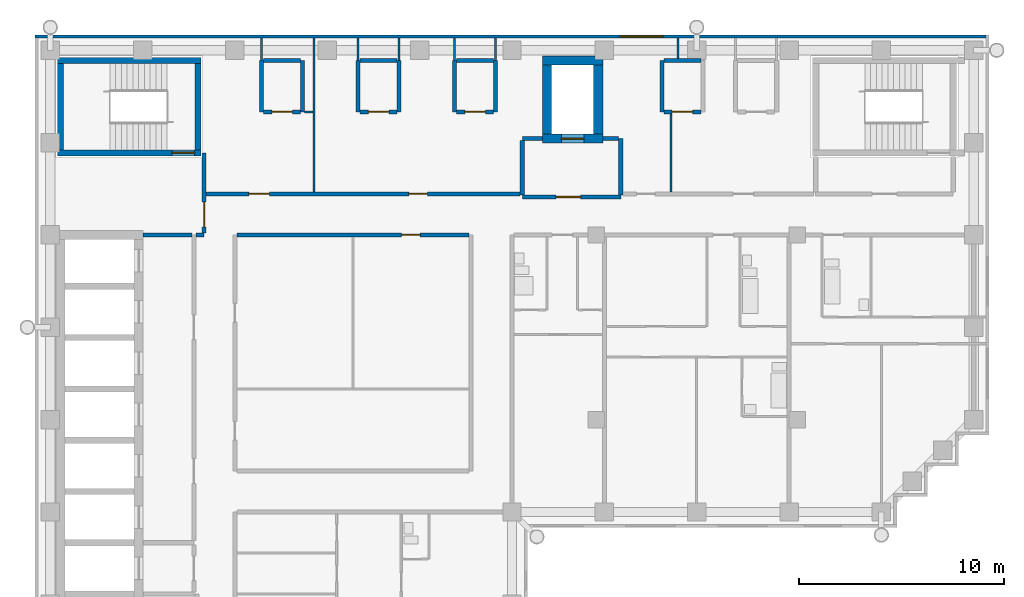
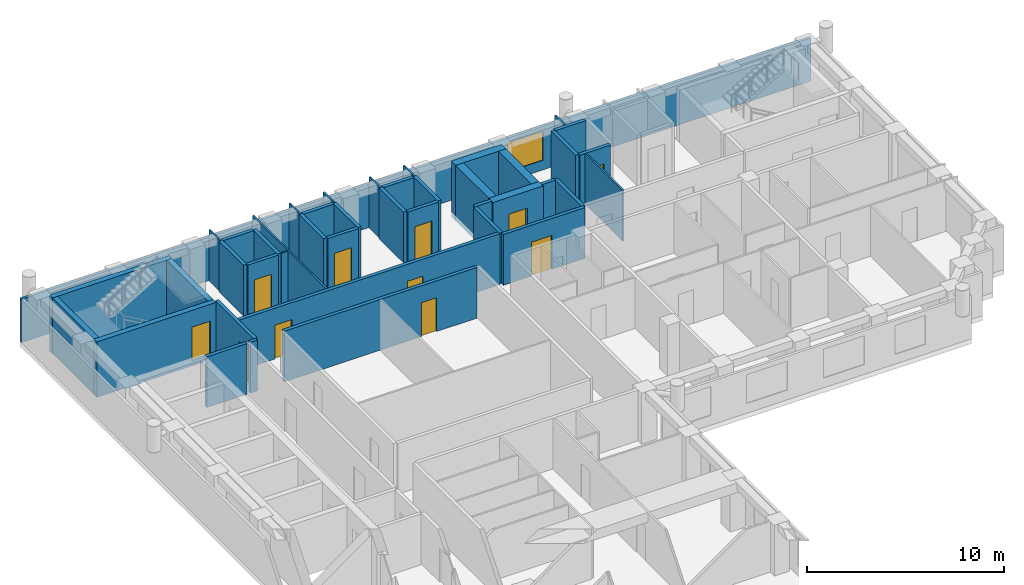
# One storey, part 5 of 9: 43 walls, 11 doors, 1 window, 12 openings.
"""IFC4 building model written with IfcOpenShell, lengths in metres."""

from ifc_helpers import new_model, si_unit, direction, frame, frame_2d, origin, place, context, subcontext, project, spatial, rectangle, extrude, material, layer, layer_set, type_object, element, fill, save


model = new_model("IFC4")

# Units and contexts
model_context = context("Model", 3, precision=1e-05, world=origin(), true_north=direction((0.0, 1.0)))
body_context = subcontext(model_context, "Body", "Model", "MODEL_VIEW")
ifc_project = project(units=[si_unit("LENGTHUNIT", "METRE"), si_unit("AREAUNIT", "SQUARE_METRE"), si_unit("VOLUMEUNIT", "CUBIC_METRE"), si_unit("PLANEANGLEUNIT", "RADIAN"), si_unit("MASSUNIT", "GRAM", prefix="KILO")], contexts=[model_context])

# Site, building, storey
site_placement = place(None, origin())
site = spatial("IfcSite", under=ifc_project, at=site_placement, CompositionType="ELEMENT")
building_placement = place(site_placement, origin())
building = spatial("IfcBuilding", under=site, at=building_placement, Name="Firuza Court", CompositionType="ELEMENT")
storey_placement = place(building_placement, frame((0.0, 0.0, 254.60009765625)))
storey = spatial("IfcBuildingStorey", under=building, at=storey_placement, Name="L66", CompositionType="ELEMENT", Elevation=254.60009765625)

# Wall, opening, door
ifc_material_1 = material(Name="Concrete C50/60", Category="concrete")
ifc_layer_1 = layer(ifc_material_1, 0.300048828125)
ifc_layer_set_1 = layer_set([ifc_layer_1], Name="Concrete C50/60")
wall_type_1 = type_object("IfcWallType", Name="Core wall 300 C50/60", PredefinedType="SHEAR", material=ifc_layer_set_1)
wall_1_placement = place(storey_placement, frame((0.35009765625, 53.5, -0.300048828125), z_axis=(0.0, 0.0, 1.0), x_axis=(1.0, 0.0, 0.0)))
wall_1 = element("IfcWall", 1, at=wall_1_placement, inside=storey, type_object=wall_type_1, Name="Core wall stair L66", PredefinedType="SHEAR", context=body_context, shape_type="SweptSolid", body=[
    extrude(rectangle(XDim=7.0, YDim=0.300048828125, at=frame_2d((3.5, 0.0))), origin(), (0.0, 0.0, 1.0), 3.449951171875),
])
opening_1_placement = place(wall_1_placement, frame((5.580078125, 0.0, 0.300048828125)))
opening_1 = element("IfcOpeningElement", 2, at=opening_1_placement, cuts=wall_1, Name="Opening D66011", PredefinedType="OPENING", context=body_context, shape_type="SweptSolid", body=[
    extrude(rectangle(XDim=1.10009765625, YDim=2.10009765625, at=frame_2d((0.550048828125, 1.050048828125))), frame((0.0, 0.162109375, 0.0), z_axis=(0.0, -1.0, 0.0), x_axis=(1.0, 0.0, 0.0)), (0.0, 0.0, 1.0), 0.323974609375),
])
ifc_material_2 = material(Name="Timber door leaf in hardwood frame", Category="wood")
door_type_1 = type_object("IfcDoorType", Name="Stair door 1100", OperationType="SINGLE_SWING_LEFT", PredefinedType="DOOR", material=ifc_material_2)
door_1_placement = place(opening_1_placement, origin())
door_1 = element("IfcDoor", 3, at=door_1_placement, inside=storey, type_object=door_type_1, Name="Stair door S3", OperationType="SINGLE_SWING_RIGHT", OverallHeight=2.10009765625, OverallWidth=1.10009765625, PredefinedType="DOOR", context=body_context, shape_type="SweptSolid", body=[
    extrude(rectangle(XDim=1.10009765625, YDim=2.10009765625, at=frame_2d((0.550048828125, 1.050048828125))), frame((0.0, 0.02490234375, 0.0), z_axis=(0.0, -1.0, 0.0), x_axis=(1.0, 0.0, 0.0)), (0.0, 0.0, 1.0), 0.050048828125),
])
fill(opening_1, door_1)

# Walls
wall_2_placement = place(storey_placement, frame((0.35009765625, 58.0, -0.300048828125), z_axis=(0.0, 0.0, 1.0), x_axis=(1.0, 0.0, 0.0)))
element("IfcWall", 4, at=wall_2_placement, inside=storey, type_object=wall_type_1, Name="Core wall stair L66", PredefinedType="SHEAR", context=body_context, shape_type="SweptSolid", body=[
    extrude(rectangle(XDim=7.0, YDim=0.300048828125, at=frame_2d((3.5, 0.0))), origin(), (0.0, 0.0, 1.0), 3.449951171875),
])
for number, where, z_axis, x_axis, name in (
    (5, (0.5, 53.64990234375, -0.300048828125), (0.0, 0.0, 1.0), (0.0, 1.0, 0.0), "Core wall stair L66"),
    (6, (7.199951171875, 53.64990234375, -0.300048828125), (0.0, 0.0, 1.0), (0.0, 1.0, 0.0), "Core wall stair L66"),
):
    element("IfcWall", number, at=place(storey_placement, frame(where, z_axis=z_axis, x_axis=x_axis)), inside=storey, type_object=wall_type_1, Name=name, PredefinedType="SHEAR", context=body_context, shape_type="SweptSolid", body=[
        extrude(rectangle(XDim=4.2001953125, YDim=0.300048828125, at=frame_2d((2.10009765625, 0.0))), origin(), (0.0, 0.0, 1.0), 3.449951171875),
    ])

# Wall, opening, door
ifc_layer_2 = layer(ifc_material_1, 0.449951171875)
ifc_layer_set_2 = layer_set([ifc_layer_2], Name="Concrete C50/60")
wall_type_2 = type_object("IfcWallType", Name="Core wall 450 C50/60", PredefinedType="SHEAR", material=ifc_layer_set_2)
wall_3_placement = place(storey_placement, frame((23.97509765625, 54.199951171875, -0.300048828125), z_axis=(0.0, 0.0, 1.0), x_axis=(1.0, 0.0, 0.0)))
wall_3 = element("IfcWall", 7, at=wall_3_placement, inside=storey, type_object=wall_type_2, Name="Core wall lift shaft L66", PredefinedType="SHEAR", context=body_context, shape_type="SweptSolid", body=[
    extrude(rectangle(XDim=2.949951171875, YDim=0.449951171875, at=frame_2d((1.47509765625, 0.0))), origin(), (0.0, 0.0, 1.0), 3.449951171875),
])
opening_2_placement = place(wall_3_placement, frame((0.925048828125, 0.0, 0.300048828125)))
opening_2 = element("IfcOpeningElement", 8, at=opening_2_placement, cuts=wall_3, Name="Opening LD-FL3-66", PredefinedType="OPENING", context=body_context, shape_type="SweptSolid", body=[
    extrude(rectangle(XDim=1.10009765625, YDim=2.10009765625, at=frame_2d((0.550048828125, 1.050048828125))), frame((0.0, 0.23681640625, 0.0), z_axis=(0.0, -1.0, 0.0), x_axis=(1.0, 0.0, 0.0)), (0.0, 0.0, 1.0), 0.473876953125),
])
ifc_material_3 = material(Name="Stainless steel 1.4301 door leaf", Category="steel")
door_type_2 = type_object("IfcDoorType", Name="Lift landing door 1100", OperationType="SLIDING_TO_LEFT", PredefinedType="DOOR", material=ifc_material_3)
door_2_placement = place(opening_2_placement, origin())
door_2 = element("IfcDoor", 9, at=door_2_placement, inside=storey, type_object=door_type_2, Name="Landing door FL3", OperationType="SLIDING_TO_LEFT", OverallHeight=2.10009765625, OverallWidth=1.10009765625, PredefinedType="DOOR", context=body_context, shape_type="SweptSolid", body=[
    extrude(rectangle(XDim=1.10009765625, YDim=2.10009765625, at=frame_2d((0.550048828125, 1.050048828125))), frame((0.0, 0.02490234375, 0.0), z_axis=(0.0, -1.0, 0.0), x_axis=(1.0, 0.0, 0.0)), (0.0, 0.0, 1.0), 0.050048828125),
])
fill(opening_2, door_2)

# Walls
wall_4_placement = place(storey_placement, frame((23.97509765625, 58.0, -0.300048828125), z_axis=(0.0, 0.0, 1.0), x_axis=(1.0, 0.0, 0.0)))
element("IfcWall", 10, at=wall_4_placement, inside=storey, type_object=wall_type_2, Name="Core wall lift shaft L66", PredefinedType="SHEAR", context=body_context, shape_type="SweptSolid", body=[
    extrude(rectangle(XDim=2.949951171875, YDim=0.449951171875, at=frame_2d((1.47509765625, 0.0))), origin(), (0.0, 0.0, 1.0), 3.449951171875),
])
for number, where, z_axis, x_axis, name in (
    (11, (24.199951171875, 54.425048828125, -0.300048828125), (0.0, 0.0, 1.0), (0.0, 1.0, 0.0), "Core wall lift shaft L66"),
    (12, (26.699951171875, 54.425048828125, -0.300048828125), (0.0, 0.0, 1.0), (0.0, 1.0, 0.0), "Core wall lift shaft L66"),
):
    element("IfcWall", number, at=place(storey_placement, frame(where, z_axis=z_axis, x_axis=x_axis)), inside=storey, type_object=wall_type_2, Name=name, PredefinedType="SHEAR", context=body_context, shape_type="SweptSolid", body=[
        extrude(rectangle(XDim=3.349853515625, YDim=0.449951171875, at=frame_2d((1.6748046875, 0.0))), origin(), (0.0, 0.0, 1.0), 3.449951171875),
    ])

# Wall, opening, door
ifc_material_4 = material(Name="Blockwork, plastered both sides", Category="masonry")
ifc_layer_3 = layer(ifc_material_4, 0.199951171875)
ifc_layer_set_3 = layer_set([ifc_layer_3], Name="Blockwork, plastered both sides")
wall_type_3 = type_object("IfcWallType", Name="Corridor wall 200", PredefinedType="PARTITIONING", material=ifc_layer_set_3)
wall_5_placement = place(storey_placement, frame((9.10009765625, 49.5, 0.0), z_axis=(0.0, 0.0, 1.0), x_axis=(1.0, 0.0, 0.0)))
wall_5 = element("IfcWall", 13, at=wall_5_placement, inside=storey, type_object=wall_type_3, Name="Corridor wall 200 L66", PredefinedType="PARTITIONING", context=body_context, shape_type="SweptSolid", body=[
    extrude(rectangle(XDim=11.2998046875, YDim=0.199951171875, at=frame_2d((5.64990234375, 0.0))), origin(), (0.0, 0.0, 1.0), 3.14990234375),
])
opening_3_placement = place(wall_5_placement, frame((8.02490234375, 0.0, 0.0)))
opening_3 = element("IfcOpeningElement", 14, at=opening_3_placement, cuts=wall_5, Name="Opening D66039", PredefinedType="OPENING", context=body_context, shape_type="SweptSolid", body=[
    extrude(rectangle(XDim=0.89990234375, YDim=2.10009765625, at=frame_2d((0.449951171875, 1.050048828125))), frame((0.0, 0.11181640625, 0.0), z_axis=(0.0, -1.0, 0.0), x_axis=(1.0, 0.0, 0.0)), (0.0, 0.0, 1.0), 0.223876953125),
])
ifc_material_5 = material(Name="Timber door leaf in hardwood frame", Category="wood")
door_type_3 = type_object("IfcDoorType", Name="Room door 900 EI 30", OperationType="SINGLE_SWING_LEFT", PredefinedType="DOOR", material=ifc_material_5)
door_3_placement = place(opening_3_placement, frame((0.89990234375, 0.0, 0.0), z_axis=(0.0, 0.0, 1.0), x_axis=(-1.0, 0.0, 0.0)))
door_3 = element("IfcDoor", 15, at=door_3_placement, inside=storey, type_object=door_type_3, Name="Library door", OperationType="SINGLE_SWING_RIGHT", OverallHeight=2.10009765625, OverallWidth=0.89990234375, PredefinedType="DOOR", context=body_context, shape_type="SweptSolid", body=[
    extrude(rectangle(XDim=0.89990234375, YDim=2.10009765625, at=frame_2d((0.449951171875, 1.050048828125))), frame((0.0, 0.02490234375, 0.0), z_axis=(0.0, -1.0, 0.0), x_axis=(1.0, 0.0, 0.0)), (0.0, 0.0, 1.0), 0.050048828125),
])
fill(opening_3, door_3)

# Wall, openings, doors
wall_6_placement = place(storey_placement, frame((7.60009765625, 51.5, 0.0), z_axis=(0.0, 0.0, 1.0), x_axis=(1.0, 0.0, 0.0)))
wall_6 = element("IfcWall", 16, at=wall_6_placement, inside=storey, type_object=wall_type_3, Name="Corridor wall 200 L66", PredefinedType="PARTITIONING", context=body_context, shape_type="SweptSolid", body=[
    extrude(rectangle(XDim=15.2998046875, YDim=0.199951171875, at=frame_2d((7.64990234375, 0.0))), origin(), (0.0, 0.0, 1.0), 3.14990234375),
])
opening_4_placement = place(wall_6_placement, frame((2.074951171875, 0.0, 0.0)))
opening_4 = element("IfcOpeningElement", 17, at=opening_4_placement, cuts=wall_6, Name="Opening D66043", PredefinedType="OPENING", context=body_context, shape_type="SweptSolid", body=[
    extrude(rectangle(XDim=1.0, YDim=2.10009765625, at=frame_2d((0.5, 1.050048828125))), frame((0.0, 0.11181640625, 0.0), z_axis=(0.0, -1.0, 0.0), x_axis=(1.0, 0.0, 0.0)), (0.0, 0.0, 1.0), 0.223876953125),
])
opening_5_placement = place(wall_6_placement, frame((9.875, 0.0, 0.0)))
opening_5 = element("IfcOpeningElement", 18, at=opening_5_placement, cuts=wall_6, Name="Opening D66044", PredefinedType="OPENING", context=body_context, shape_type="SweptSolid", body=[
    extrude(rectangle(XDim=0.89990234375, YDim=2.10009765625, at=frame_2d((0.449951171875, 1.050048828125))), frame((0.0, 0.11181640625, 0.0), z_axis=(0.0, -1.0, 0.0), x_axis=(1.0, 0.0, 0.0)), (0.0, 0.0, 1.0), 0.223876953125),
])
door_4_placement = place(opening_5_placement, origin())
door_4 = element("IfcDoor", 19, at=door_4_placement, inside=storey, type_object=door_type_3, Name="Residents' workroom door", OperationType="SINGLE_SWING_LEFT", OverallHeight=2.10009765625, OverallWidth=0.89990234375, PredefinedType="DOOR", context=body_context, shape_type="SweptSolid", body=[
    extrude(rectangle(XDim=0.89990234375, YDim=2.10009765625, at=frame_2d((0.449951171875, 1.050048828125))), frame((0.0, 0.02490234375, 0.0), z_axis=(0.0, -1.0, 0.0), x_axis=(1.0, 0.0, 0.0)), (0.0, 0.0, 1.0), 0.050048828125),
])
fill(opening_5, door_4)
ifc_material_6 = material(Name="Timber door leaf in hardwood frame", Category="wood")
door_type_4 = type_object("IfcDoorType", Name="Store door 1000", OperationType="SINGLE_SWING_LEFT", PredefinedType="DOOR", material=ifc_material_6)
door_5_placement = place(opening_4_placement, origin())
door_5 = element("IfcDoor", 20, at=door_5_placement, inside=storey, type_object=door_type_4, Name="Valet store door", OperationType="SINGLE_SWING_LEFT", OverallHeight=2.10009765625, OverallWidth=1.0, PredefinedType="DOOR", context=body_context, shape_type="SweptSolid", body=[
    extrude(rectangle(XDim=1.0, YDim=2.10009765625, at=frame_2d((0.5, 1.050048828125))), frame((0.0, 0.02490234375, 0.0), z_axis=(0.0, -1.0, 0.0), x_axis=(1.0, 0.0, 0.0)), (0.0, 0.0, 1.0), 0.050048828125),
])
fill(opening_4, door_5)

# Walls
ifc_material_7 = material(Name="Timber stud partition, plasterboard both sides", Category="wood")
ifc_layer_4 = layer(ifc_material_7, 0.10009765625)
ifc_layer_set_4 = layer_set([ifc_layer_4], Name="Timber stud partition, plasterboard both sides")
wall_type_4 = type_object("IfcWallType", Name="Partition wall 100", PredefinedType="PARTITIONING", material=ifc_layer_set_4)
wall_7_placement = place(storey_placement, frame((12.85009765625, 51.60009765625, 0.0), z_axis=(0.0, 0.0, 1.0), x_axis=(0.0, 1.0, 0.0)))
element("IfcWall", 21, at=wall_7_placement, inside=storey, type_object=wall_type_4, Name="Partition wall 100 L66", PredefinedType="PARTITIONING", context=body_context, shape_type="SweptSolid", body=[
    extrude(rectangle(XDim=7.5, YDim=0.10009765625, at=frame_2d((3.75, 0.0))), origin(), (0.0, 0.0, 1.0), 3.14990234375),
])
wall_8_placement = place(storey_placement, frame((30.25, 51.60009765625, 0.0), z_axis=(0.0, 0.0, 1.0), x_axis=(0.0, 1.0, 0.0)))
element("IfcWall", 22, at=wall_8_placement, inside=storey, type_object=wall_type_4, Name="Partition wall 100 L66", PredefinedType="PARTITIONING", context=body_context, shape_type="SweptSolid", body=[
    extrude(rectangle(XDim=3.7998046875, YDim=0.10009765625, at=frame_2d((1.89990234375, 0.0))), origin(), (0.0, 0.0, 1.0), 3.14990234375),
])
wall_9_placement = place(storey_placement, frame((12.39990234375, 55.5, 0.0), z_axis=(0.0, 0.0, 1.0), x_axis=(1.0, 0.0, 0.0)))
element("IfcWall", 23, at=wall_9_placement, inside=storey, type_object=wall_type_4, Name="Partition wall 100 L66", PredefinedType="PARTITIONING", context=body_context, shape_type="SweptSolid", body=[
    extrude(rectangle(XDim=0.400146484375, YDim=0.10009765625, at=frame_2d((0.2001953125, 0.0))), origin(), (0.0, 0.0, 1.0), 3.14990234375),
])
for number, where, z_axis, x_axis, name in (
    (24, (10.300048828125, 58.0, 0.0), (0.0, 0.0, 1.0), (0.0, 1.0, 0.0), "Partition wall 100 L66"),
    (25, (15.0, 58.0, 0.0), (0.0, 0.0, 1.0), (0.0, 1.0, 0.0), "Partition wall 100 L66"),
    (26, (17.0, 58.0, 0.0), (0.0, 0.0, 1.0), (0.0, 1.0, 0.0), "Partition wall 100 L66"),
    (27, (19.699951171875, 58.0, 0.0), (0.0, 0.0, 1.0), (0.0, 1.0, 0.0), "Partition wall 100 L66"),
    (28, (21.699951171875, 58.0, 0.0), (0.0, 0.0, 1.0), (0.0, 1.0, 0.0), "Partition wall 100 L66"),
):
    element("IfcWall", number, at=place(storey_placement, frame(where, z_axis=z_axis, x_axis=x_axis)), inside=storey, type_object=wall_type_4, Name=name, PredefinedType="PARTITIONING", context=body_context, shape_type="SweptSolid", body=[
        extrude(rectangle(XDim=1.10009765625, YDim=0.10009765625, at=frame_2d((0.550048828125, 0.0))), origin(), (0.0, 0.0, 1.0), 3.14990234375),
    ])
wall_10_placement = place(storey_placement, frame((30.60009765625, 58.10009765625, 0.0), z_axis=(0.0, 0.0, 1.0), x_axis=(0.0, 1.0, 0.0)))
element("IfcWall", 29, at=wall_10_placement, inside=storey, type_object=wall_type_4, Name="Partition wall 100 L66", PredefinedType="PARTITIONING", context=body_context, shape_type="SweptSolid", body=[
    extrude(rectangle(XDim=1.0, YDim=0.10009765625, at=frame_2d((0.5, 0.0))), origin(), (0.0, 0.0, 1.0), 3.14990234375),
])
ifc_material_8 = material(Name="Blockwork, fire-rated", Category="masonry")
ifc_layer_5 = layer(ifc_material_8, 0.199951171875)
ifc_layer_set_5 = layer_set([ifc_layer_5], Name="Blockwork, fire-rated")
wall_type_5 = type_object("IfcWallType", Name="Plant room wall 200", PredefinedType="PARTITIONING", material=ifc_layer_set_5)
wall_11_placement = place(storey_placement, frame((10.300048828125, 55.5, 0.0), z_axis=(0.0, 0.0, 1.0), x_axis=(0.0, 1.0, 0.0)))
element("IfcWall", 30, at=wall_11_placement, inside=storey, type_object=wall_type_5, Name="Plant room wall 200 L66", PredefinedType="PARTITIONING", context=body_context, shape_type="SweptSolid", body=[
    extrude(rectangle(XDim=2.5, YDim=0.199951171875, at=frame_2d((1.25, 0.0))), origin(), (0.0, 0.0, 1.0), 3.14990234375),
])

# Wall, opening, door
wall_12_placement = place(storey_placement, frame((10.39990234375, 55.5, 0.0), z_axis=(0.0, 0.0, 1.0), x_axis=(1.0, 0.0, 0.0)))
wall_12 = element("IfcWall", 31, at=wall_12_placement, inside=storey, type_object=wall_type_5, Name="Plant room wall 200 L66", PredefinedType="PARTITIONING", context=body_context, shape_type="SweptSolid", body=[
    extrude(rectangle(XDim=1.800048828125, YDim=0.199951171875, at=frame_2d((0.89990234375, 0.0))), origin(), (0.0, 0.0, 1.0), 3.14990234375),
])
opening_6_placement = place(wall_12_placement, frame((0.39990234375, 0.0, 0.0)))
opening_6 = element("IfcOpeningElement", 32, at=opening_6_placement, cuts=wall_12, Name="Opening D66047", PredefinedType="OPENING", context=body_context, shape_type="SweptSolid", body=[
    extrude(rectangle(XDim=1.0, YDim=2.10009765625, at=frame_2d((0.5, 1.050048828125))), frame((0.0, 0.11181640625, 0.0), z_axis=(0.0, -1.0, 0.0), x_axis=(1.0, 0.0, 0.0)), (0.0, 0.0, 1.0), 0.223876953125),
])
ifc_material_9 = material(Name="Timber door leaf in hardwood frame", Category="wood")
door_type_5 = type_object("IfcDoorType", Name="Riser door 1000", OperationType="SINGLE_SWING_LEFT", PredefinedType="DOOR", material=ifc_material_9)
door_6_placement = place(opening_6_placement, origin())
door_6 = element("IfcDoor", 33, at=door_6_placement, inside=storey, type_object=door_type_5, Name="Comms riser door", OperationType="SINGLE_SWING_LEFT", OverallHeight=2.10009765625, OverallWidth=1.0, PredefinedType="DOOR", context=body_context, shape_type="SweptSolid", body=[
    extrude(rectangle(XDim=1.0, YDim=2.10009765625, at=frame_2d((0.5, 1.050048828125))), frame((0.0, 0.02490234375, 0.0), z_axis=(0.0, -1.0, 0.0), x_axis=(1.0, 0.0, 0.0)), (0.0, 0.0, 1.0), 0.050048828125),
])
fill(opening_6, door_6)

# Walls
for number, where, z_axis, x_axis, name in (
    (34, (12.300048828125, 55.5, 0.0), (0.0, 0.0, 1.0), (0.0, 1.0, 0.0), "Plant room wall 200 L66"),
    (35, (15.0, 55.5, 0.0), (0.0, 0.0, 1.0), (0.0, 1.0, 0.0), "Plant room wall 200 L66"),
):
    element("IfcWall", number, at=place(storey_placement, frame(where, z_axis=z_axis, x_axis=x_axis)), inside=storey, type_object=wall_type_5, Name=name, PredefinedType="PARTITIONING", context=body_context, shape_type="SweptSolid", body=[
        extrude(rectangle(XDim=2.5, YDim=0.199951171875, at=frame_2d((1.25, 0.0))), origin(), (0.0, 0.0, 1.0), 3.14990234375),
    ])

# Wall, opening, door
wall_13_placement = place(storey_placement, frame((15.10009765625, 55.5, 0.0), z_axis=(0.0, 0.0, 1.0), x_axis=(1.0, 0.0, 0.0)))
wall_13 = element("IfcWall", 36, at=wall_13_placement, inside=storey, type_object=wall_type_5, Name="Plant room wall 200 L66", PredefinedType="PARTITIONING", context=body_context, shape_type="SweptSolid", body=[
    extrude(rectangle(XDim=1.7998046875, YDim=0.199951171875, at=frame_2d((0.89990234375, 0.0))), origin(), (0.0, 0.0, 1.0), 3.14990234375),
])
opening_7_placement = place(wall_13_placement, frame((0.39990234375, 0.0, 0.0)))
opening_7 = element("IfcOpeningElement", 37, at=opening_7_placement, cuts=wall_13, Name="Opening D66048", PredefinedType="OPENING", context=body_context, shape_type="SweptSolid", body=[
    extrude(rectangle(XDim=1.0, YDim=2.10009765625, at=frame_2d((0.5, 1.050048828125))), frame((0.0, 0.11181640625, 0.0), z_axis=(0.0, -1.0, 0.0), x_axis=(1.0, 0.0, 0.0)), (0.0, 0.0, 1.0), 0.223876953125),
])
door_7_placement = place(opening_7_placement, origin())
door_7 = element("IfcDoor", 38, at=door_7_placement, inside=storey, type_object=door_type_5, Name="Electrical riser door", OperationType="SINGLE_SWING_LEFT", OverallHeight=2.10009765625, OverallWidth=1.0, PredefinedType="DOOR", context=body_context, shape_type="SweptSolid", body=[
    extrude(rectangle(XDim=1.0, YDim=2.10009765625, at=frame_2d((0.5, 1.050048828125))), frame((0.0, 0.02490234375, 0.0), z_axis=(0.0, -1.0, 0.0), x_axis=(1.0, 0.0, 0.0)), (0.0, 0.0, 1.0), 0.050048828125),
])
fill(opening_7, door_7)

# Walls
for number, where, z_axis, x_axis, name in (
    (39, (17.0, 55.5, 0.0), (0.0, 0.0, 1.0), (0.0, 1.0, 0.0), "Plant room wall 200 L66"),
    (40, (19.699951171875, 55.5, 0.0), (0.0, 0.0, 1.0), (0.0, 1.0, 0.0), "Plant room wall 200 L66"),
):
    element("IfcWall", number, at=place(storey_placement, frame(where, z_axis=z_axis, x_axis=x_axis)), inside=storey, type_object=wall_type_5, Name=name, PredefinedType="PARTITIONING", context=body_context, shape_type="SweptSolid", body=[
        extrude(rectangle(XDim=2.5, YDim=0.199951171875, at=frame_2d((1.25, 0.0))), origin(), (0.0, 0.0, 1.0), 3.14990234375),
    ])

# Wall, opening, door
wall_14_placement = place(storey_placement, frame((19.800048828125, 55.5, 0.0), z_axis=(0.0, 0.0, 1.0), x_axis=(1.0, 0.0, 0.0)))
wall_14 = element("IfcWall", 41, at=wall_14_placement, inside=storey, type_object=wall_type_5, Name="Plant room wall 200 L66", PredefinedType="PARTITIONING", context=body_context, shape_type="SweptSolid", body=[
    extrude(rectangle(XDim=1.800048828125, YDim=0.199951171875, at=frame_2d((0.89990234375, 0.0))), origin(), (0.0, 0.0, 1.0), 3.14990234375),
])
opening_8_placement = place(wall_14_placement, frame((0.39990234375, 0.0, 0.0)))
opening_8 = element("IfcOpeningElement", 42, at=opening_8_placement, cuts=wall_14, Name="Opening D66049", PredefinedType="OPENING", context=body_context, shape_type="SweptSolid", body=[
    extrude(rectangle(XDim=1.0, YDim=2.10009765625, at=frame_2d((0.5, 1.050048828125))), frame((0.0, 0.11181640625, 0.0), z_axis=(0.0, -1.0, 0.0), x_axis=(1.0, 0.0, 0.0)), (0.0, 0.0, 1.0), 0.223876953125),
])
door_8_placement = place(opening_8_placement, origin())
door_8 = element("IfcDoor", 43, at=door_8_placement, inside=storey, type_object=door_type_5, Name="Duct riser door", OperationType="SINGLE_SWING_LEFT", OverallHeight=2.10009765625, OverallWidth=1.0, PredefinedType="DOOR", context=body_context, shape_type="SweptSolid", body=[
    extrude(rectangle(XDim=1.0, YDim=2.10009765625, at=frame_2d((0.5, 1.050048828125))), frame((0.0, 0.02490234375, 0.0), z_axis=(0.0, -1.0, 0.0), x_axis=(1.0, 0.0, 0.0)), (0.0, 0.0, 1.0), 0.050048828125),
])
fill(opening_8, door_8)

# Walls
for number, where, z_axis, x_axis, name in (
    (44, (21.699951171875, 55.5, 0.0), (0.0, 0.0, 1.0), (0.0, 1.0, 0.0), "Plant room wall 200 L66"),
    (45, (29.800048828125, 55.5, 0.0), (0.0, 0.0, 1.0), (0.0, 1.0, 0.0), "Plant room wall 200 L66"),
):
    element("IfcWall", number, at=place(storey_placement, frame(where, z_axis=z_axis, x_axis=x_axis)), inside=storey, type_object=wall_type_5, Name=name, PredefinedType="PARTITIONING", context=body_context, shape_type="SweptSolid", body=[
        extrude(rectangle(XDim=2.5, YDim=0.199951171875, at=frame_2d((1.25, 0.0))), origin(), (0.0, 0.0, 1.0), 3.14990234375),
    ])

# Wall, opening, door
wall_15_placement = place(storey_placement, frame((29.89990234375, 55.5, 0.0), z_axis=(0.0, 0.0, 1.0), x_axis=(1.0, 0.0, 0.0)))
wall_15 = element("IfcWall", 46, at=wall_15_placement, inside=storey, type_object=wall_type_5, Name="Plant room wall 200 L66", PredefinedType="PARTITIONING", context=body_context, shape_type="SweptSolid", body=[
    extrude(rectangle(XDim=1.800048828125, YDim=0.199951171875, at=frame_2d((0.89990234375, 0.0))), origin(), (0.0, 0.0, 1.0), 3.14990234375),
])
opening_9_placement = place(wall_15_placement, frame((0.39990234375, 0.0, 0.0)))
opening_9 = element("IfcOpeningElement", 47, at=opening_9_placement, cuts=wall_15, Name="Opening D66050", PredefinedType="OPENING", context=body_context, shape_type="SweptSolid", body=[
    extrude(rectangle(XDim=1.0, YDim=2.10009765625, at=frame_2d((0.5, 1.050048828125))), frame((0.0, 0.11181640625, 0.0), z_axis=(0.0, -1.0, 0.0), x_axis=(1.0, 0.0, 0.0)), (0.0, 0.0, 1.0), 0.223876953125),
])
door_9_placement = place(opening_9_placement, origin())
door_9 = element("IfcDoor", 48, at=door_9_placement, inside=storey, type_object=door_type_5, Name="Electrical riser door", OperationType="SINGLE_SWING_LEFT", OverallHeight=2.10009765625, OverallWidth=1.0, PredefinedType="DOOR", context=body_context, shape_type="SweptSolid", body=[
    extrude(rectangle(XDim=1.0, YDim=2.10009765625, at=frame_2d((0.5, 1.050048828125))), frame((0.0, 0.02490234375, 0.0), z_axis=(0.0, -1.0, 0.0), x_axis=(1.0, 0.0, 0.0)), (0.0, 0.0, 1.0), 0.050048828125),
])
fill(opening_9, door_9)

# Walls
wall_16_placement = place(storey_placement, frame((10.39990234375, 58.0, 0.0), z_axis=(0.0, 0.0, 1.0), x_axis=(1.0, 0.0, 0.0)))
element("IfcWall", 49, at=wall_16_placement, inside=storey, type_object=wall_type_5, Name="Plant room wall 200 L66", PredefinedType="PARTITIONING", context=body_context, shape_type="SweptSolid", body=[
    extrude(rectangle(XDim=1.800048828125, YDim=0.199951171875, at=frame_2d((0.89990234375, 0.0))), origin(), (0.0, 0.0, 1.0), 3.14990234375),
])
wall_17_placement = place(storey_placement, frame((15.10009765625, 58.0, 0.0), z_axis=(0.0, 0.0, 1.0), x_axis=(1.0, 0.0, 0.0)))
element("IfcWall", 50, at=wall_17_placement, inside=storey, type_object=wall_type_5, Name="Plant room wall 200 L66", PredefinedType="PARTITIONING", context=body_context, shape_type="SweptSolid", body=[
    extrude(rectangle(XDim=1.7998046875, YDim=0.199951171875, at=frame_2d((0.89990234375, 0.0))), origin(), (0.0, 0.0, 1.0), 3.14990234375),
])
for number, where, z_axis, x_axis, name in (
    (51, (19.800048828125, 58.0, 0.0), (0.0, 0.0, 1.0), (1.0, 0.0, 0.0), "Plant room wall 200 L66"),
    (52, (29.89990234375, 58.0, 0.0), (0.0, 0.0, 1.0), (1.0, 0.0, 0.0), "Plant room wall 200 L66"),
):
    element("IfcWall", number, at=place(storey_placement, frame(where, z_axis=z_axis, x_axis=x_axis)), inside=storey, type_object=wall_type_5, Name=name, PredefinedType="PARTITIONING", context=body_context, shape_type="SweptSolid", body=[
        extrude(rectangle(XDim=1.800048828125, YDim=0.199951171875, at=frame_2d((0.89990234375, 0.0))), origin(), (0.0, 0.0, 1.0), 3.14990234375),
    ])

# Wall, opening, window
ifc_material_10 = material(Name="Ceramic tile", Category="ceramic")
ifc_layer_6 = layer(ifc_material_10, 0.02001953125)
ifc_material_11 = material(Name="Mineral wool insulation", Category="insulation")
ifc_layer_7 = layer(ifc_material_11, 0.050048828125)
ifc_material_12 = material(Name="Concrete C40/50 precast", Category="concrete")
ifc_layer_8 = layer(ifc_material_12, 0.080078125)
ifc_layer_set_6 = layer_set([ifc_layer_6, ifc_layer_7, ifc_layer_8], Name="Concrete C40/50 precast")
wall_type_6 = type_object("IfcWallType", Name="Precast cladding wall with turquoise TILE PANEL face 150", PredefinedType="STANDARD", material=ifc_layer_set_6)
wall_18_placement = place(storey_placement, frame((45.60009765625, 59.175048828125, 0.0), z_axis=(0.0, 0.0, 1.0), x_axis=(-1.0, 0.0, 0.0)))
wall_18 = element("IfcWall", 53, at=wall_18_placement, inside=storey, type_object=wall_type_6, Name="Facade wall L66 N", PredefinedType="STANDARD", context=body_context, shape_type="SweptSolid", body=[
    extrude(rectangle(XDim=46.35009765625, YDim=0.14990234375, at=frame_2d((23.175048828125, 0.0))), origin(), (0.0, 0.0, 1.0), 2.699951171875),
])
opening_10_placement = place(wall_18_placement, frame((15.73388671875, 0.0, 0.60009765625)))
opening_10 = element("IfcOpeningElement", 54, at=opening_10_placement, cuts=wall_18, Name="Opening W6", PredefinedType="OPENING", context=body_context, shape_type="SweptSolid", body=[
    extrude(rectangle(XDim=2.10009765625, YDim=1.800048828125, at=frame_2d((1.050048828125, 0.89990234375))), frame((0.0, 0.0869140625, 0.0), z_axis=(0.0, -1.0, 0.0), x_axis=(1.0, 0.0, 0.0)), (0.0, 0.0, 1.0), 0.173828125),
])
ifc_material_13 = material(Name="Aluminium frame, triple clear glazing", Category="aluminium")
window_type = type_object("IfcWindowType", Name="Window W6 2100 x 1800", PartitioningType="SINGLE_PANEL", PredefinedType="WINDOW", material=ifc_material_13)
window_placement = place(opening_10_placement, origin())
window = element("IfcWindow", 55, at=window_placement, inside=storey, type_object=window_type, Name="Window L66", OverallHeight=1.800048828125, OverallWidth=2.10009765625, PartitioningType="SINGLE_PANEL", PredefinedType="WINDOW", context=body_context, shape_type="SweptSolid", body=[
    extrude(rectangle(XDim=2.10009765625, YDim=1.800048828125, at=frame_2d((1.050048828125, 0.89990234375))), frame((0.0, 0.030029296875, 0.0), z_axis=(0.0, -1.0, 0.0), x_axis=(1.0, 0.0, 0.0)), (0.0, 0.0, 1.0), 0.06005859375),
])
fill(opening_10, window)

# Wall
ifc_layer_9 = layer(ifc_material_8, 0.199951171875)
ifc_layer_set_7 = layer_set([ifc_layer_9], Name="Blockwork, fire-rated")
wall_type_7 = type_object("IfcWallType", Name="Shaft wall 200", PredefinedType="PARTITIONING", material=ifc_layer_set_7)
wall_19_placement = place(storey_placement, frame((4.52490234375, 49.5, 0.0), z_axis=(0.0, 0.0, 1.0), x_axis=(1.0, 0.0, 0.0)))
element("IfcWall", 56, at=wall_19_placement, inside=storey, type_object=wall_type_7, Name="Shaft wall 200 L66", PredefinedType="PARTITIONING", context=body_context, shape_type="SweptSolid", body=[
    extrude(rectangle(XDim=2.375, YDim=0.199951171875, at=frame_2d((1.1875, 0.0))), origin(), (0.0, 0.0, 1.0), 3.14990234375),
])

# Wall, opening, door
wall_20_placement = place(storey_placement, frame((23.0, 51.35009765625, 0.0), z_axis=(0.0, 0.0, 1.0), x_axis=(1.0, 0.0, 0.0)))
wall_20 = element("IfcWall", 57, at=wall_20_placement, inside=storey, type_object=wall_type_7, Name="Shaft wall 200 L66", PredefinedType="PARTITIONING", context=body_context, shape_type="SweptSolid", body=[
    extrude(rectangle(XDim=4.800048828125, YDim=0.199951171875, at=frame_2d((2.39990234375, 0.0))), origin(), (0.0, 0.0, 1.0), 3.14990234375),
])
opening_11_placement = place(wall_20_placement, frame((1.64990234375, 0.0, 0.0)))
opening_11 = element("IfcOpeningElement", 58, at=opening_11_placement, cuts=wall_20, Name="Opening D66003", PredefinedType="OPENING", context=body_context, shape_type="SweptSolid", body=[
    extrude(rectangle(XDim=1.199951171875, YDim=2.10009765625, at=frame_2d((0.60009765625, 1.050048828125))), frame((0.0, 0.11181640625, 0.0), z_axis=(0.0, -1.0, 0.0), x_axis=(1.0, 0.0, 0.0)), (0.0, 0.0, 1.0), 0.223876953125),
])
ifc_material_14 = material(Name="Timber door leaf in hardwood frame", Category="wood")
door_type_6 = type_object("IfcDoorType", Name="Lobby door 1200", OperationType="SINGLE_SWING_LEFT", PredefinedType="DOOR", material=ifc_material_14)
door_10_placement = place(opening_11_placement, origin())
door_10 = element("IfcDoor", 59, at=door_10_placement, inside=storey, type_object=door_type_6, Name="Fire-fighting lobby door", OperationType="SINGLE_SWING_LEFT", OverallHeight=2.10009765625, OverallWidth=1.199951171875, PredefinedType="DOOR", context=body_context, shape_type="SweptSolid", body=[
    extrude(rectangle(XDim=1.199951171875, YDim=2.10009765625, at=frame_2d((0.60009765625, 1.050048828125))), frame((0.0, 0.02490234375, 0.0), z_axis=(0.0, -1.0, 0.0), x_axis=(1.0, 0.0, 0.0)), (0.0, 0.0, 1.0), 0.050048828125),
])
fill(opening_11, door_10)

# Walls
wall_21_placement = place(storey_placement, frame((27.800048828125, 51.449951171875, 0.0), z_axis=(0.0, 0.0, 1.0), x_axis=(0.0, 1.0, 0.0)))
element("IfcWall", 60, at=wall_21_placement, inside=storey, type_object=wall_type_7, Name="Shaft wall 200 L66", PredefinedType="PARTITIONING", context=body_context, shape_type="SweptSolid", body=[
    extrude(rectangle(XDim=2.75, YDim=0.199951171875, at=frame_2d((1.375, 0.0))), origin(), (0.0, 0.0, 1.0), 3.14990234375),
])
wall_22_placement = place(storey_placement, frame((23.0, 54.199951171875, 0.0), z_axis=(0.0, 0.0, 1.0), x_axis=(1.0, 0.0, 0.0)))
element("IfcWall", 61, at=wall_22_placement, inside=storey, type_object=wall_type_7, Name="Shaft wall 200 L66", PredefinedType="PARTITIONING", context=body_context, shape_type="SweptSolid", body=[
    extrude(rectangle(XDim=0.97509765625, YDim=0.199951171875, at=frame_2d((0.487548828125, 0.0))), origin(), (0.0, 0.0, 1.0), 3.14990234375),
])
wall_23_placement = place(storey_placement, frame((26.925048828125, 54.199951171875, 0.0), z_axis=(0.0, 0.0, 1.0), x_axis=(1.0, 0.0, 0.0)))
element("IfcWall", 62, at=wall_23_placement, inside=storey, type_object=wall_type_7, Name="Shaft wall 200 L66", PredefinedType="PARTITIONING", context=body_context, shape_type="SweptSolid", body=[
    extrude(rectangle(XDim=0.77490234375, YDim=0.199951171875, at=frame_2d((0.387451171875, 0.0))), origin(), (0.0, 0.0, 1.0), 3.14990234375),
])
wall_24_placement = place(storey_placement, frame((23.0, 51.449951171875, 0.0), z_axis=(0.0, 0.0, 1.0), x_axis=(0.0, 1.0, 0.0)))
element("IfcWall", 63, at=wall_24_placement, inside=storey, type_object=wall_type_7, Name="Shaft wall 200 L66", PredefinedType="PARTITIONING", context=body_context, shape_type="SweptSolid", body=[
    extrude(rectangle(XDim=2.650146484375, YDim=0.199951171875, at=frame_2d((1.3251953125, 0.0))), origin(), (0.0, 0.0, 1.0), 3.14990234375),
])
wall_25_placement = place(storey_placement, frame((7.10009765625, 49.5, 0.0), z_axis=(0.0, 0.0, 1.0), x_axis=(1.0, 0.0, 0.0)))
element("IfcWall", 64, at=wall_25_placement, inside=storey, type_object=wall_type_7, Name="Shaft wall 200 L66", PredefinedType="PARTITIONING", context=body_context, shape_type="SweptSolid", body=[
    extrude(rectangle(XDim=0.39990234375, YDim=0.199951171875, at=frame_2d((0.199951171875, 0.0))), origin(), (0.0, 0.0, 1.0), 3.14990234375),
])

# Wall, opening, door
wall_26_placement = place(storey_placement, frame((7.5, 49.60009765625, 0.0), z_axis=(0.0, 0.0, 1.0), x_axis=(0.0, 1.0, 0.0)))
wall_26 = element("IfcWall", 65, at=wall_26_placement, inside=storey, type_object=wall_type_7, Name="Shaft wall 200 L66", PredefinedType="PARTITIONING", context=body_context, shape_type="SweptSolid", body=[
    extrude(rectangle(XDim=3.89990234375, YDim=0.199951171875, at=frame_2d((1.949951171875, 0.0))), origin(), (0.0, 0.0, 1.0), 3.14990234375),
])
opening_12_placement = place(wall_26_placement, frame((0.300048828125, 0.0, 0.0)))
opening_12 = element("IfcOpeningElement", 66, at=opening_12_placement, cuts=wall_26, Name="Opening D66001", PredefinedType="OPENING", context=body_context, shape_type="SweptSolid", body=[
    extrude(rectangle(XDim=1.199951171875, YDim=2.10009765625, at=frame_2d((0.60009765625, 1.050048828125))), frame((0.0, 0.11181640625, 0.0), z_axis=(0.0, -1.0, 0.0), x_axis=(1.0, 0.0, 0.0)), (0.0, 0.0, 1.0), 0.223876953125),
])
door_11_placement = place(opening_12_placement, origin())
door_11 = element("IfcDoor", 67, at=door_11_placement, inside=storey, type_object=door_type_6, Name="Lobby door", OperationType="SINGLE_SWING_LEFT", OverallHeight=2.10009765625, OverallWidth=1.199951171875, PredefinedType="DOOR", context=body_context, shape_type="SweptSolid", body=[
    extrude(rectangle(XDim=1.199951171875, YDim=2.10009765625, at=frame_2d((0.60009765625, 1.050048828125))), frame((0.0, 0.02490234375, 0.0), z_axis=(0.0, -1.0, 0.0), x_axis=(1.0, 0.0, 0.0)), (0.0, 0.0, 1.0), 0.050048828125),
])
fill(opening_12, door_11)

save(model, "model.ifc")
